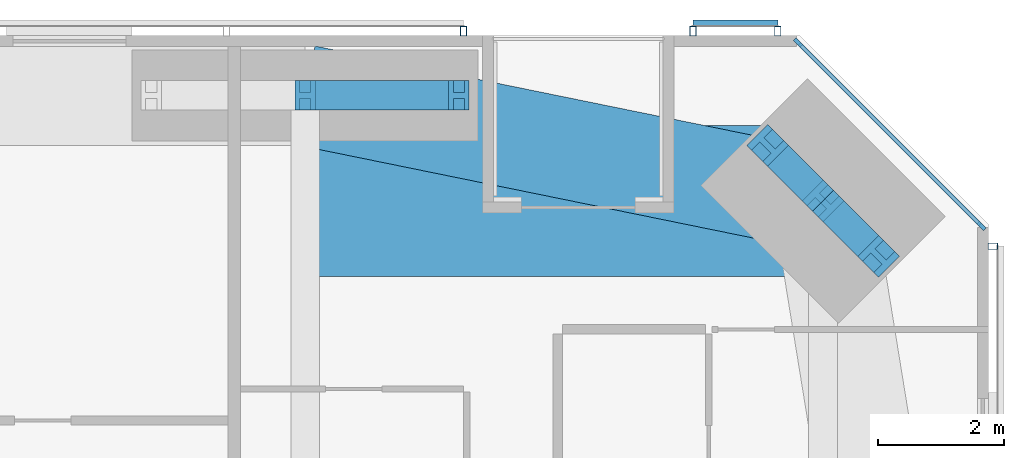
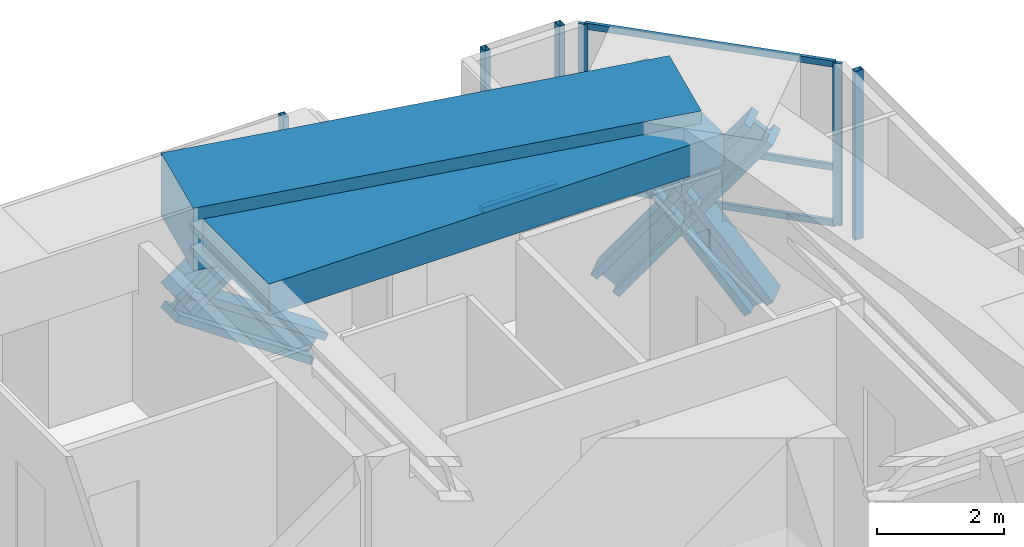
# One storey, part 14 of 24: 16 members, 2 beams, 4 elements without a shape of their own.
"""IFC4 building model written with IfcOpenShell, lengths in metres."""

import ifcopenshell
import ifcopenshell.guid

model = None  # the IFC model being written
_history = None  # IfcOwnerHistory: only IFC2X3 demands one
_inside = {}  # id of a spatial element -> (the spatial element, [elements in it])
_under = {}  # id of a project, library or spatial element -> (it, [spatial elements below it])
_declared = {}  # id of a project -> (the project, [libraries it declares])
_typed = {}  # id of a type object -> (the type object, [elements of that type])
_made_of = {}  # id of a material, layer set ... -> (it, [elements and type objects made of it])


def new_model(schema):
    """Start an empty IFC model of exactly this schema.

    Asked for "IFC4X3", IfcOpenShell would pick the latest addendum, in which some entities
    have other attributes; the version numbers below select the first issue.
    IFC2X3 requires an IfcOwnerHistory on every rooted entity: one is made here for all.
    """
    global model, _history
    if schema == "IFC4X3":
        model = ifcopenshell.file(schema_version=(4, 3, 0, 0))
    else:
        model = ifcopenshell.file(schema=schema)
    _inside.clear()
    _under.clear()
    _declared.clear()
    _typed.clear()
    _made_of.clear()
    _history = None
    if model.schema == "IFC2X3":
        org = make("IfcOrganization", Name="unknown")
        user = make(
            "IfcPersonAndOrganization",
            ThePerson=make("IfcPerson", FamilyName="unknown"),
            TheOrganization=org,
        )
        app = make(
            "IfcApplication",
            ApplicationDeveloper=org,
            Version="unknown",
            ApplicationFullName="unknown",
            ApplicationIdentifier="unknown",
        )
        _history = make(
            "IfcOwnerHistory",
            OwningUser=user,
            OwningApplication=app,
            ChangeAction="ADDED",
            CreationDate=0,
        )
    return model


def make(cls, **values):
    """One entity of the class cls with the attributes given. An attribute that is None is left unset."""
    return model.create_entity(
        cls, **{name: value for name, value in values.items() if value is not None}
    )


def rooted(cls, **values):
    """An entity with a GlobalId (a new one), such as an element, a storey or a relation."""
    return make(cls, GlobalId=ifcopenshell.guid.new(), OwnerHistory=_history, **values)


def si_unit(unit_type, name, prefix=None):
    """IfcSIUnit, for example si_unit("LENGTHUNIT", "METRE", prefix="MILLI")."""
    return make("IfcSIUnit", UnitType=unit_type, Prefix=prefix, Name=name)


def assignment(units):
    """IfcUnitAssignment: the units of a project."""
    return None if units is None else make("IfcUnitAssignment", Units=units)


def point(xyz):
    """IfcCartesianPoint."""
    return None if xyz is None else make("IfcCartesianPoint", Coordinates=xyz)


def direction(xyz):
    """IfcDirection."""
    return None if xyz is None else make("IfcDirection", DirectionRatios=xyz)


def frame(location, z_axis=None, x_axis=None):
    """IfcAxis2Placement3D, a coordinate frame: its origin and axes. An axis left out is left unset."""
    return make(
        "IfcAxis2Placement3D",
        Location=point(location),
        Axis=direction(z_axis),
        RefDirection=direction(x_axis),
    )


def frame_2d(location, x_axis=None):
    """IfcAxis2Placement2D, a coordinate frame in the plane: its origin and x axis."""
    return make(
        "IfcAxis2Placement2D", Location=point(location), RefDirection=direction(x_axis)
    )


def origin():
    """The frame at (0, 0, 0) with its axes left unset."""
    return frame((0.0, 0.0, 0.0))


def origin_2d():
    """The frame at (0, 0) in the plane with its x axis left unset."""
    return frame_2d((0.0, 0.0))


def place(relative_to, where):
    """IfcLocalPlacement: puts the frame where relative to a parent placement (None: the world)."""
    return make(
        "IfcLocalPlacement", PlacementRelTo=relative_to, RelativePlacement=where
    )


def context(
    kind, dimensions, precision=None, world=None, true_north=None, identifier=None
):
    """IfcGeometricRepresentationContext, for example the 3D "Model" context."""
    return make(
        "IfcGeometricRepresentationContext",
        ContextIdentifier=identifier,
        ContextType=kind,
        CoordinateSpaceDimension=dimensions,
        Precision=precision,
        WorldCoordinateSystem=world,
        TrueNorth=true_north,
    )


def subcontext(parent, identifier, kind, view, scale=None):
    """IfcGeometricRepresentationSubContext, for example "Body" below "Model"."""
    return make(
        "IfcGeometricRepresentationSubContext",
        ContextIdentifier=identifier,
        ContextType=kind,
        ParentContext=parent,
        TargetScale=scale,
        TargetView=view,
    )


def project(units=None, contexts=None):
    """IfcProject with its units and contexts."""
    return rooted(
        "IfcProject",
        Name="project",
        RepresentationContexts=contexts,
        UnitsInContext=assignment(units),
    )


def spatial(cls, under=None, at=None, **own):
    """A site, building, storey or space (cls), placed at a placement, below another one or the project."""
    s = rooted(cls, ObjectPlacement=at, **own)
    if under is not None:
        _under.setdefault(under.id(), (under, []))[1].append(s)
    return s


def profile(cls, at=None, kind="AREA", **sizes):
    """A parametric profile (cls). Its sizes go by their IFC names, for example OverallWidth=200.0."""
    return make(cls, ProfileType=kind, Position=at, **sizes)


def rectangle(**sizes):
    """IfcRectangleProfileDef."""
    return profile("IfcRectangleProfileDef", **sizes)


def hollow_rectangle(**sizes):
    """IfcRectangleHollowProfileDef."""
    return profile("IfcRectangleHollowProfileDef", **sizes)


def i_section(**sizes):
    """IfcIShapeProfileDef."""
    return profile("IfcIShapeProfileDef", **sizes)


def extrude(swept, where, along, depth):
    """IfcExtrudedAreaSolid: the profile swept, set in the frame where, extruded along a direction by depth."""
    return make(
        "IfcExtrudedAreaSolid",
        SweptArea=swept,
        Position=where,
        ExtrudedDirection=direction(along),
        Depth=depth,
    )


def shape(context_of_items, identifier, shape_type, items):
    """IfcShapeRepresentation: the items that make up one representation, for example the "Body"."""
    return make(
        "IfcShapeRepresentation",
        ContextOfItems=context_of_items,
        RepresentationIdentifier=identifier,
        RepresentationType=shape_type,
        Items=items,
    )


def material(Name=None, Category=None):
    """IfcMaterial."""
    return make("IfcMaterial", Name=Name, Category=Category)


def material_profile(
    of_material, cross_section, Name=None, Category=None, Priority=None
):
    """IfcMaterialProfile: a cross section and its material."""
    return make(
        "IfcMaterialProfile",
        Name=Name,
        Material=of_material,
        Profile=cross_section,
        Priority=Priority,
        Category=Category,
    )


def profile_set(profiles, Name=None, composite=None):
    """IfcMaterialProfileSet."""
    return make(
        "IfcMaterialProfileSet",
        Name=Name,
        MaterialProfiles=profiles,
        CompositeProfile=composite,
    )


def made_of(thing, what):
    """Note that an element or type object is made of a material, layer set ...; save() writes the relation."""
    if what is not None:
        _made_of.setdefault(what.id(), (what, []))[1].append(thing)
    return thing


def type_object(cls, material=None, **own):
    """A type object (cls), such as IfcWallType, which elements share."""
    return made_of(rooted(cls, **own), material)


def element(
    cls,
    number,
    at=None,
    inside=None,
    cuts=None,
    type_object=None,
    material=None,
    context=None,
    identifier="Body",
    shape_type=None,
    held_by="IfcProductDefinitionShape",
    body=None,
    shapes=None,
    **own,
):
    """One element of the class cls, such as IfcWall. Its Tag is "e" and its number.

    at: its placement. inside: the storey or other place that contains it. cuts: it is an
    opening in that element (IfcRelVoidsElement). A single representation is given by context,
    identifier, shape_type and body (its items); several are given by shapes. held_by: the class
    of the entity that holds the representations. save() writes the other relations.
    """
    e = rooted(cls, Tag="e%d" % number, ObjectPlacement=at, **own)
    if body is not None:
        shapes = [shape(context, identifier, shape_type, body)]
    if shapes is not None:
        e.Representation = make(held_by, Representations=shapes)
    if inside is not None:
        _inside.setdefault(inside.id(), (inside, []))[1].append(e)
    if cuts is not None:
        rooted(
            "IfcRelVoidsElement", RelatingBuildingElement=cuts, RelatedOpeningElement=e
        )
    if type_object is not None:
        _typed.setdefault(type_object.id(), (type_object, []))[1].append(e)
    return made_of(e, material)


def aggregate(whole, parts):
    """IfcRelAggregates: a whole, such as a stair, and the parts it consists of."""
    return rooted("IfcRelAggregates", RelatingObject=whole, RelatedObjects=parts)


def save(model, path):
    """Write the relations noted so far, then the file.

    IfcRelAggregates (storeys below a building ...), IfcRelContainedInSpatialStructure (elements
    in a storey), IfcRelDefinesByType, IfcRelAssociatesMaterial and IfcRelDeclares: one each for
    every whole, place, type object, material and project.
    """
    for whole, parts in _under.values():
        aggregate(whole, parts)
    for where, things in _inside.values():
        rooted(
            "IfcRelContainedInSpatialStructure",
            RelatedElements=things,
            RelatingStructure=where,
        )
    for kind, things in _typed.values():
        rooted("IfcRelDefinesByType", RelatedObjects=things, RelatingType=kind)
    for what, things in _made_of.values():
        rooted("IfcRelAssociatesMaterial", RelatedObjects=things, RelatingMaterial=what)
    for by, libraries in _declared.values():
        rooted("IfcRelDeclares", RelatingContext=by, RelatedDefinitions=libraries)
    model.write(path)


model = new_model("IFC4")

# Units and contexts
model_context = context("Model", 3, precision=1e-05, world=origin(), true_north=direction((0.0, 1.0)))
body_context = subcontext(model_context, "Body", "Model", "MODEL_VIEW")
ifc_project = project(units=[si_unit("LENGTHUNIT", "METRE"), si_unit("AREAUNIT", "SQUARE_METRE"), si_unit("VOLUMEUNIT", "CUBIC_METRE"), si_unit("PLANEANGLEUNIT", "RADIAN"), si_unit("MASSUNIT", "GRAM", prefix="KILO")], contexts=[model_context])

# Site, building, storey
site_placement = place(None, origin())
site = spatial("IfcSite", under=ifc_project, at=site_placement, CompositionType="ELEMENT")
building_placement = place(site_placement, origin())
building = spatial("IfcBuilding", under=site, at=building_placement, Name="Jalousie Tower", CompositionType="ELEMENT")
storey_placement = place(building_placement, frame((0.0, 0.0, 91.449951171875)))
storey = spatial("IfcBuildingStorey", under=building, at=storey_placement, Name="L24", CompositionType="ELEMENT", Elevation=91.449951171875)

# Curtain wall, members
ifc_material_1 = material(Name="Aluminium curtain wall", Category="aluminium")
curtain_wall_type_1 = type_object("IfcCurtainWallType", Name="CORNER WINDOW WALL", PredefinedType="USERDEFINED", material=ifc_material_1)
curtain_wall_1_placement = place(storey_placement, origin())
curtain_wall_1 = element("IfcCurtainWall", 1, at=curtain_wall_1_placement, inside=storey, type_object=curtain_wall_type_1, Name="Corner Window Wall L24 4", ObjectType="CORNER WINDOW WALL", PredefinedType="USERDEFINED")
ifc_material_2 = material(Name="Aluminium mullion", Category="aluminium")
ifc_material_profile_1 = material_profile(ifc_material_2, rectangle(XDim=0.06005859375, YDim=0.14990234375, at=origin_2d()), Name="MULLION 60x150")
ifc_profile_set_1 = profile_set([ifc_material_profile_1], Name="Aluminium mullion")
member_type_1 = type_object("IfcMemberType", Name="CORNER WINDOW WALL MULLION", PredefinedType="MULLION", material=ifc_profile_set_1)
member_1_placement = place(storey_placement, frame((49.391357421875, 34.969970703125, 0.0), z_axis=(0.0, 0.0, 1.0), x_axis=(-0.707106781187, -0.707106781187, 0.0)))
member_1 = element("IfcMember", 2, at=member_1_placement, type_object=member_type_1, Name="CW-C mullion 1", PredefinedType="MULLION", context=body_context, shape_type="SweptSolid", body=[
    extrude(rectangle(XDim=0.06005859375, YDim=0.14990234375, at=origin_2d()), origin(), (0.0, 0.0, 1.0), 3.110107421875),
])
member_2_placement = place(storey_placement, frame((46.469970703125, 37.891357421875, 0.0), z_axis=(0.0, 0.0, 1.0), x_axis=(-0.707106781187, -0.707106781187, 0.0)))
member_2 = element("IfcMember", 3, at=member_2_placement, type_object=member_type_1, Name="CW-C mullion 2", PredefinedType="MULLION", context=body_context, shape_type="SweptSolid", body=[
    extrude(rectangle(XDim=0.06005859375, YDim=0.14990234375, at=origin_2d()), origin(), (0.0, 0.0, 1.0), 3.110107421875),
])
ifc_material_3 = material(Name="Aluminium transom", Category="aluminium")
ifc_material_profile_2 = material_profile(ifc_material_3, rectangle(XDim=0.06005859375, YDim=0.1201171875, at=origin_2d()), Name="TRANSOM 60x120")
ifc_profile_set_2 = profile_set([ifc_material_profile_2], Name="Aluminium transom")
member_type_2 = type_object("IfcMemberType", Name="CORNER WINDOW WALL TRANSOM", PredefinedType="USERDEFINED", material=ifc_profile_set_2)
member_3_placement = place(storey_placement, frame((49.3701171875, 34.9912109375, 0.030029296875), z_axis=(-0.707106781187, 0.707106781187, 0.0), x_axis=(-0.707106781187, -0.707106781187, 0.0)))
member_3 = element("IfcMember", 4, at=member_3_placement, type_object=member_type_2, Name="CW-C transom 1.1", ObjectType="TRANSOM", PredefinedType="USERDEFINED", context=body_context, shape_type="SweptSolid", body=[
    extrude(rectangle(XDim=0.06005859375, YDim=0.1201171875, at=origin_2d()), origin(), (0.0, 0.0, 1.0), 4.0712890625),
])
member_4_placement = place(storey_placement, frame((49.3701171875, 34.9912109375, 1.10009765625), z_axis=(-0.707106781187, 0.707106781187, 0.0), x_axis=(-0.707106781187, -0.707106781187, 0.0)))
member_4 = element("IfcMember", 5, at=member_4_placement, type_object=member_type_2, Name="CW-C transom 1.2", ObjectType="TRANSOM", PredefinedType="USERDEFINED", context=body_context, shape_type="SweptSolid", body=[
    extrude(rectangle(XDim=0.06005859375, YDim=0.1201171875, at=origin_2d()), origin(), (0.0, 0.0, 1.0), 4.0712890625),
])
member_5_placement = place(storey_placement, frame((49.3701171875, 34.9912109375, 3.080078125), z_axis=(-0.707106781187, 0.707106781187, 0.0), x_axis=(-0.707106781187, -0.707106781187, 0.0)))
member_5 = element("IfcMember", 6, at=member_5_placement, type_object=member_type_2, Name="CW-C transom 1.3", ObjectType="TRANSOM", PredefinedType="USERDEFINED", context=body_context, shape_type="SweptSolid", body=[
    extrude(rectangle(XDim=0.06005859375, YDim=0.1201171875, at=origin_2d()), origin(), (0.0, 0.0, 1.0), 4.0712890625),
])
aggregate(curtain_wall_1, [member_1, member_2, member_3, member_4, member_5])

# Members
ifc_material_4 = material(Name="Steel ASTM A992 Grade 50", Category="steel")
ifc_material_profile_3 = material_profile(ifc_material_4, i_section(OverallWidth=0.472412109375, OverallDepth=0.5791015625, WebThickness=0.094970703125, FlangeThickness=0.1298828125, at=origin_2d()), Name="W14X808")
ifc_profile_set_3 = profile_set([ifc_material_profile_3], Name="Steel ASTM A992 Grade 50")
member_type_3 = type_object("IfcMemberType", Name="PERIMETER BRACE W14X808", PredefinedType="BRACE", material=ifc_profile_set_3)
member_6_placement = place(storey_placement, frame((47.75244140625, 34.484619140625, -0.599853515625), z_axis=(-0.422891306588, 0.423008127391, 0.801390708065), x_axis=(-0.707204427637, -0.70700912125, 0.0)))
element("IfcMember", 7, at=member_6_placement, inside=storey, type_object=member_type_3, Name="Perimeter brace 08 L24 part 1", PredefinedType="BRACE", context=body_context, shape_type="SweptSolid", body=[
    extrude(i_section(OverallWidth=0.472412109375, OverallDepth=0.5791015625, WebThickness=0.094970703125, FlangeThickness=0.1298828125, at=origin_2d()), origin(), (0.0, 0.0, 1.0), 2.08984375),
])
member_7_placement = place(storey_placement, frame((46.86865234375, 35.36865234375, 1.074951171875), z_axis=(-0.422968528423, 0.422851718556, 0.801432497518), x_axis=(-0.70700912125, -0.707204427637, 0.0)))
element("IfcMember", 8, at=member_7_placement, inside=storey, type_object=member_type_3, Name="Perimeter brace 08 L24 part 2", PredefinedType="BRACE", context=body_context, shape_type="SweptSolid", body=[
    extrude(i_section(OverallWidth=0.472412109375, OverallDepth=0.5791015625, WebThickness=0.094970703125, FlangeThickness=0.1298828125, at=origin_2d()), origin(), (0.0, 0.0, 1.0), 2.090087890625),
])
member_8_placement = place(storey_placement, frame((45.984619140625, 36.25244140625, -0.599853515625), z_axis=(0.423008127391, -0.422891306588, 0.801390708065), x_axis=(0.70700912125, 0.707204427637, 0.0)))
element("IfcMember", 9, at=member_8_placement, inside=storey, type_object=member_type_3, Name="Perimeter brace 08 L24 part 3", PredefinedType="BRACE", context=body_context, shape_type="SweptSolid", body=[
    extrude(i_section(OverallWidth=0.472412109375, OverallDepth=0.5791015625, WebThickness=0.094970703125, FlangeThickness=0.1298828125, at=origin_2d()), origin(), (0.0, 0.0, 1.0), 2.08984375),
])
member_9_placement = place(storey_placement, frame((46.86865234375, 35.36865234375, 1.074951171875), z_axis=(0.422851718556, -0.422968528423, 0.801432497518), x_axis=(0.707204427637, 0.70700912125, 0.0)))
element("IfcMember", 10, at=member_9_placement, inside=storey, type_object=member_type_3, Name="Perimeter brace 08 L24 part 4", PredefinedType="BRACE", context=body_context, shape_type="SweptSolid", body=[
    extrude(i_section(OverallWidth=0.472412109375, OverallDepth=0.5791015625, WebThickness=0.094970703125, FlangeThickness=0.1298828125, at=origin_2d()), origin(), (0.0, 0.0, 1.0), 2.090087890625),
])
for number, where, z_axis, x_axis, name in (
    (11, (38.625, 37.050048828125, 1.074951171875), (0.825500916831, 0.0, 0.564400776321), (0.0, 1.0, 0.0), "Perimeter brace 09 L24 part 2"),
    (12, (41.074951171875, 37.050048828125, -0.599853515625), (-0.825539243753, 0.0, 0.564344714713), (0.0, -1.0, 0.0), "Perimeter brace 09 L24 part 3"),
):
    element("IfcMember", number, at=place(storey_placement, frame(where, z_axis=z_axis, x_axis=x_axis)), inside=storey, type_object=member_type_3, Name=name, PredefinedType="BRACE", context=body_context, shape_type="SweptSolid", body=[
        extrude(i_section(OverallWidth=0.472412109375, OverallDepth=0.5791015625, WebThickness=0.094970703125, FlangeThickness=0.1298828125, at=origin_2d()), origin(), (0.0, 0.0, 1.0), 2.9677734375),
    ])

# Beams
ifc_material_5 = material(Name="Concrete f'c 40 MPa", Category="concrete")
ifc_material_profile_4 = material_profile(ifc_material_5, rectangle(XDim=1.60009765625, YDim=1.199951171875, at=origin_2d()), Name="RC 1600x1200")
ifc_profile_set_4 = profile_set([ifc_material_profile_4], Name="Concrete f'c 40 MPa")
beam_type_1 = type_object("IfcBeamType", Name="RC BEAM 1600x1200", PredefinedType="BEAM", material=ifc_profile_set_4)
beam_1_placement = place(storey_placement, frame((46.86865234375, 35.36865234375, 2.75), z_axis=(-0.97982690954, 0.199848010602, 0.0), x_axis=(-0.199848010602, -0.97982690954, 0.0)))
element("IfcBeam", 13, at=beam_1_placement, inside=storey, type_object=beam_type_1, Name="Edge band beam 08-09 under L25", PredefinedType="BEAM", context=body_context, shape_type="SweptSolid", body=[
    extrude(rectangle(XDim=1.60009765625, YDim=1.199951171875, at=origin_2d()), origin(), (0.0, 0.0, 1.0), 8.413330078125),
])
ifc_material_6 = material(Name="Concrete f'c 40 MPa", Category="concrete")
ifc_material_profile_5 = material_profile(ifc_material_6, rectangle(XDim=2.39990234375, YDim=0.60009765625, at=origin_2d()), Name="RC 2400x600")
ifc_profile_set_5 = profile_set([ifc_material_profile_5], Name="Concrete f'c 40 MPa")
beam_type_2 = type_object("IfcBeamType", Name="RC BEAM 2400x600", PredefinedType="BEAM", material=ifc_profile_set_5)
beam_2_placement = place(storey_placement, frame((46.86865234375, 35.36865234375, 2.81005859375), z_axis=(-1.0, 0.0, 0.0), x_axis=(0.0, -1.0, 0.0)))
element("IfcBeam", 14, at=beam_2_placement, inside=storey, type_object=beam_type_2, Name="Floor band beam under L25", PredefinedType="BEAM", context=body_context, shape_type="SweptSolid", body=[
    extrude(rectangle(XDim=2.39990234375, YDim=0.60009765625, at=origin_2d()), origin(), (0.0, 0.0, 1.0), 8.24365234375),
])

# Curtain wall, member
ifc_material_7 = material(Name="Perforated aluminium sheet", Category="aluminium")
curtain_wall_type_2 = type_object("IfcCurtainWallType", Name="SOLAR SCREEN SS-1", PredefinedType="USERDEFINED", material=ifc_material_7)
curtain_wall_2_placement = place(storey_placement, origin())
curtain_wall_2 = element("IfcCurtainWall", 15, at=curtain_wall_2_placement, inside=storey, type_object=curtain_wall_type_2, Name="Solar screen L24", ObjectType="SOLAR SCREEN SS-1", PredefinedType="USERDEFINED")
ifc_material_8 = material(Name="Steel ASTM A500 Grade C", Category="steel")
ifc_material_profile_6 = material_profile(ifc_material_8, hollow_rectangle(XDim=0.1015625, YDim=0.15234375, WallThickness=0.00634765625, at=origin_2d()), Name="HSS6X4X1/4")
ifc_profile_set_6 = profile_set([ifc_material_profile_6], Name="Steel ASTM A500 Grade C")
member_type_4 = type_object("IfcMemberType", Name="SOLAR SCREEN SS-1 MULLION", PredefinedType="MULLION", material=ifc_profile_set_6)
member_10_placement = place(storey_placement, frame((49.5712890625, 34.648681640625, -0.119873046875), z_axis=(0.0, 0.0, 1.0), x_axis=(0.0, 1.0, 0.0)))
member_10 = element("IfcMember", 16, at=member_10_placement, type_object=member_type_4, Name="SS1 post 4", PredefinedType="MULLION", context=body_context, shape_type="SweptSolid", body=[
    extrude(hollow_rectangle(XDim=0.1015625, YDim=0.15234375, WallThickness=0.00634765625, at=origin_2d()), origin(), (0.0, 0.0, 1.0), 3.22998046875),
])
aggregate(curtain_wall_2, [member_10])

# Curtain wall, members
curtain_wall_3_placement = place(storey_placement, origin())
curtain_wall_3 = element("IfcCurtainWall", 17, at=curtain_wall_3_placement, inside=storey, type_object=curtain_wall_type_2, Name="Solar screen L24", ObjectType="SOLAR SCREEN SS-1", PredefinedType="USERDEFINED")
member_11_placement = place(storey_placement, frame((46.148681640625, 38.0712890625, -0.119873046875), z_axis=(0.0, 0.0, 1.0), x_axis=(-1.0, 0.0, 0.0)))
member_11 = element("IfcMember", 18, at=member_11_placement, type_object=member_type_4, Name="SS1 post 1", PredefinedType="MULLION", context=body_context, shape_type="SweptSolid", body=[
    extrude(hollow_rectangle(XDim=0.1015625, YDim=0.15234375, WallThickness=0.00634765625, at=origin_2d()), origin(), (0.0, 0.0, 1.0), 3.22998046875),
])
member_12_placement = place(storey_placement, frame((44.798583984375, 38.0712890625, -0.119873046875), z_axis=(0.0, 0.0, 1.0), x_axis=(-1.0, 0.0, 0.0)))
member_12 = element("IfcMember", 19, at=member_12_placement, type_object=member_type_4, Name="SS1 post 2", PredefinedType="MULLION", context=body_context, shape_type="SweptSolid", body=[
    extrude(hollow_rectangle(XDim=0.1015625, YDim=0.15234375, WallThickness=0.00634765625, at=origin_2d()), origin(), (0.0, 0.0, 1.0), 3.22998046875),
])

# Curtain wall, member
curtain_wall_4_placement = place(storey_placement, origin())
curtain_wall_4 = element("IfcCurtainWall", 20, at=curtain_wall_4_placement, inside=storey, type_object=curtain_wall_type_2, Name="Solar screen L24", ObjectType="SOLAR SCREEN SS-1", PredefinedType="USERDEFINED")
member_13_placement = place(storey_placement, frame((41.148681640625, 38.0712890625, -0.119873046875), z_axis=(0.0, 0.0, 1.0), x_axis=(-1.0, 0.0, 0.0)))
member_13 = element("IfcMember", 21, at=member_13_placement, type_object=member_type_4, Name="SS1 post 1", PredefinedType="MULLION", context=body_context, shape_type="SweptSolid", body=[
    extrude(hollow_rectangle(XDim=0.1015625, YDim=0.15234375, WallThickness=0.00634765625, at=origin_2d()), origin(), (0.0, 0.0, 1.0), 3.22998046875),
])
aggregate(curtain_wall_4, [member_13])

# Member
ifc_material_9 = material(Name="Extruded aluminium screen rail", Category="aluminium")
ifc_material_profile_7 = material_profile(ifc_material_9, rectangle(XDim=0.1015625, YDim=0.1201171875, at=origin_2d()), Name="RAIL 102x120")
ifc_profile_set_7 = profile_set([ifc_material_profile_7], Name="Extruded aluminium screen rail")
member_type_5 = type_object("IfcMemberType", Name="SOLAR SCREEN SS-1 TRANSOM", PredefinedType="USERDEFINED", material=ifc_profile_set_7)
member_14_placement = place(storey_placement, frame((46.148681640625, 38.1982421875, -0.06005859375), z_axis=(-1.0, 0.0, 0.0), x_axis=(0.0, -1.0, 0.0)))
member_14 = element("IfcMember", 22, at=member_14_placement, type_object=member_type_5, Name="SS1 rail", ObjectType="TRANSOM", PredefinedType="USERDEFINED", context=body_context, shape_type="SweptSolid", body=[
    extrude(rectangle(XDim=0.1015625, YDim=0.1201171875, at=origin_2d()), origin(), (0.0, 0.0, 1.0), 1.35009765625),
])

aggregate(curtain_wall_3, [member_11, member_12, member_14])

save(model, "model.ifc")
